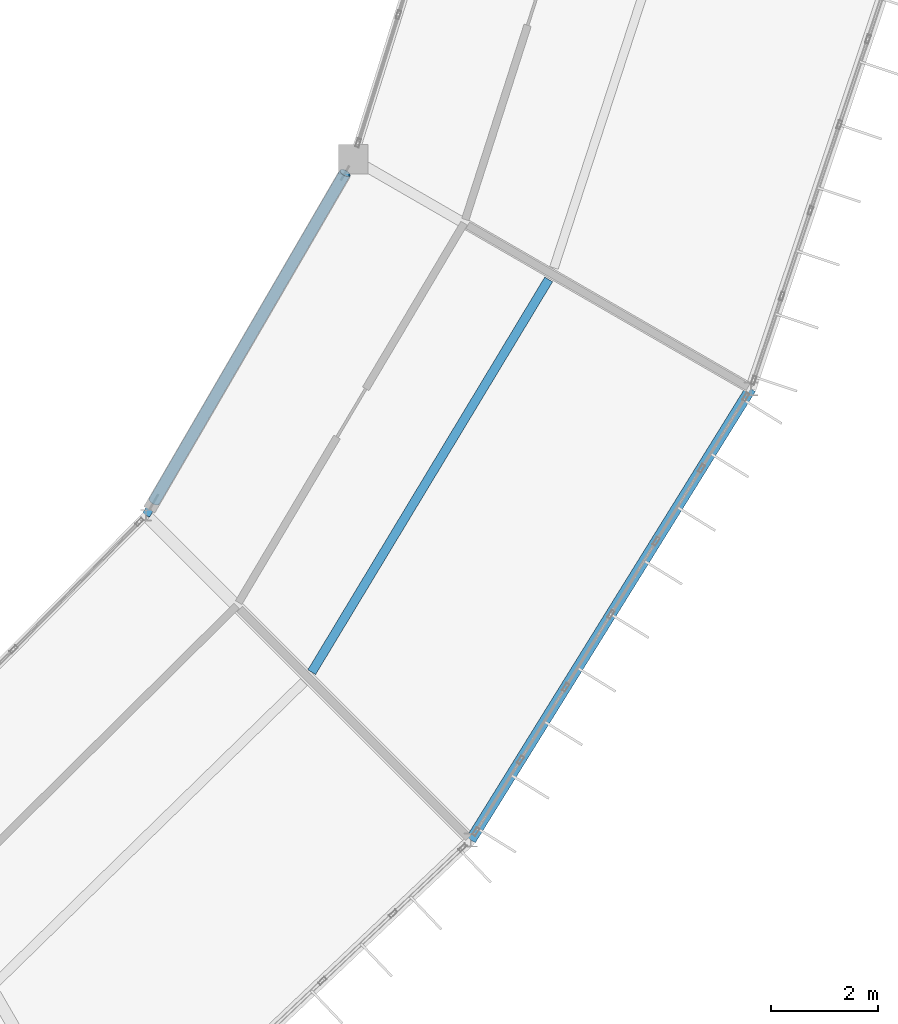
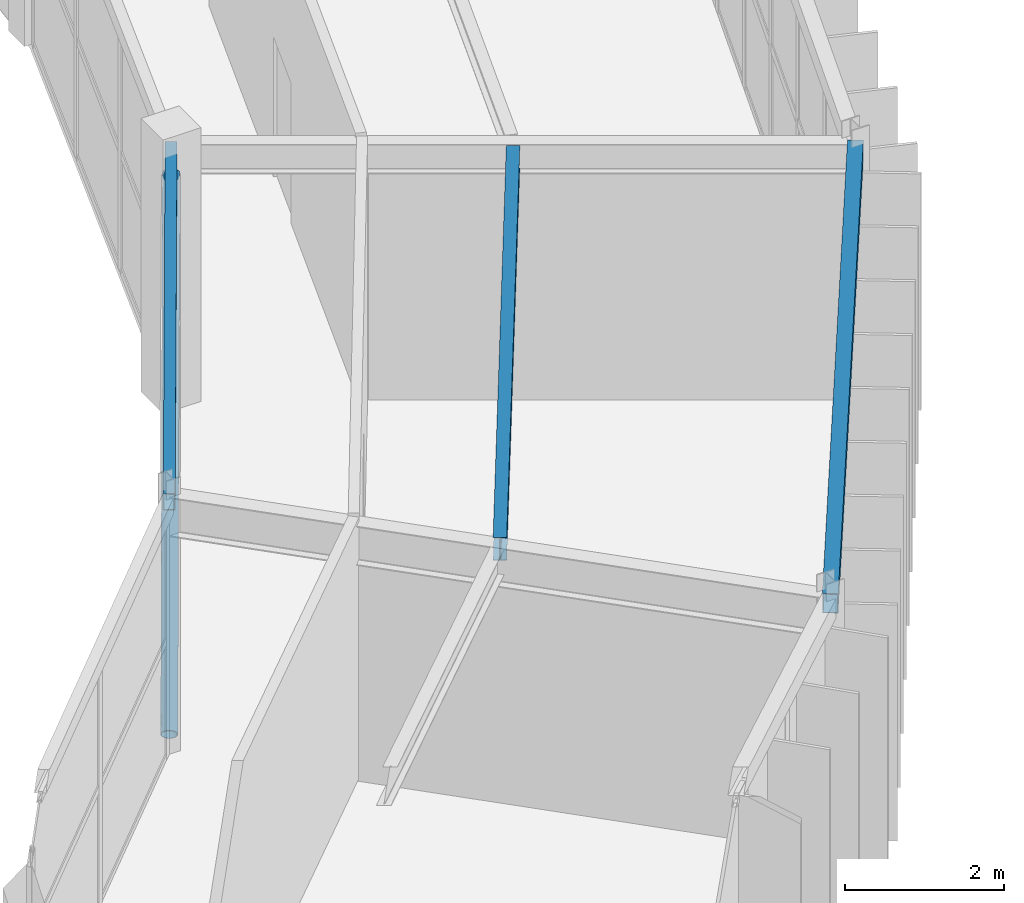
# One storey, part 48 of 130: 3 beams, 1 member.
"""IFC4 building model written with IfcOpenShell, lengths in metres."""

import ifcopenshell
import ifcopenshell.guid

model = None  # the IFC model being written
_history = None  # IfcOwnerHistory: only IFC2X3 demands one
_inside = {}  # id of a spatial element -> (the spatial element, [elements in it])
_under = {}  # id of a project, library or spatial element -> (it, [spatial elements below it])
_declared = {}  # id of a project -> (the project, [libraries it declares])
_typed = {}  # id of a type object -> (the type object, [elements of that type])
_made_of = {}  # id of a material, layer set ... -> (it, [elements and type objects made of it])


def new_model(schema):
    """Start an empty IFC model of exactly this schema.

    Asked for "IFC4X3", IfcOpenShell would pick the latest addendum, in which some entities
    have other attributes; the version numbers below select the first issue.
    IFC2X3 requires an IfcOwnerHistory on every rooted entity: one is made here for all.
    """
    global model, _history
    if schema == "IFC4X3":
        model = ifcopenshell.file(schema_version=(4, 3, 0, 0))
    else:
        model = ifcopenshell.file(schema=schema)
    _inside.clear()
    _under.clear()
    _declared.clear()
    _typed.clear()
    _made_of.clear()
    _history = None
    if model.schema == "IFC2X3":
        org = make("IfcOrganization", Name="unknown")
        user = make(
            "IfcPersonAndOrganization",
            ThePerson=make("IfcPerson", FamilyName="unknown"),
            TheOrganization=org,
        )
        app = make(
            "IfcApplication",
            ApplicationDeveloper=org,
            Version="unknown",
            ApplicationFullName="unknown",
            ApplicationIdentifier="unknown",
        )
        _history = make(
            "IfcOwnerHistory",
            OwningUser=user,
            OwningApplication=app,
            ChangeAction="ADDED",
            CreationDate=0,
        )
    return model


def make(cls, **values):
    """One entity of the class cls with the attributes given. An attribute that is None is left unset."""
    return model.create_entity(
        cls, **{name: value for name, value in values.items() if value is not None}
    )


def rooted(cls, **values):
    """An entity with a GlobalId (a new one), such as an element, a storey or a relation."""
    return make(cls, GlobalId=ifcopenshell.guid.new(), OwnerHistory=_history, **values)


def si_unit(unit_type, name, prefix=None):
    """IfcSIUnit, for example si_unit("LENGTHUNIT", "METRE", prefix="MILLI")."""
    return make("IfcSIUnit", UnitType=unit_type, Prefix=prefix, Name=name)


def assignment(units):
    """IfcUnitAssignment: the units of a project."""
    return None if units is None else make("IfcUnitAssignment", Units=units)


def point(xyz):
    """IfcCartesianPoint."""
    return None if xyz is None else make("IfcCartesianPoint", Coordinates=xyz)


def direction(xyz):
    """IfcDirection."""
    return None if xyz is None else make("IfcDirection", DirectionRatios=xyz)


def frame(location, z_axis=None, x_axis=None):
    """IfcAxis2Placement3D, a coordinate frame: its origin and axes. An axis left out is left unset."""
    return make(
        "IfcAxis2Placement3D",
        Location=point(location),
        Axis=direction(z_axis),
        RefDirection=direction(x_axis),
    )


def frame_2d(location, x_axis=None):
    """IfcAxis2Placement2D, a coordinate frame in the plane: its origin and x axis."""
    return make(
        "IfcAxis2Placement2D", Location=point(location), RefDirection=direction(x_axis)
    )


def origin():
    """The frame at (0, 0, 0) with its axes left unset."""
    return frame((0.0, 0.0, 0.0))


def origin_2d():
    """The frame at (0, 0) in the plane with its x axis left unset."""
    return frame_2d((0.0, 0.0))


def place(relative_to, where):
    """IfcLocalPlacement: puts the frame where relative to a parent placement (None: the world)."""
    return make(
        "IfcLocalPlacement", PlacementRelTo=relative_to, RelativePlacement=where
    )


def context(
    kind, dimensions, precision=None, world=None, true_north=None, identifier=None
):
    """IfcGeometricRepresentationContext, for example the 3D "Model" context."""
    return make(
        "IfcGeometricRepresentationContext",
        ContextIdentifier=identifier,
        ContextType=kind,
        CoordinateSpaceDimension=dimensions,
        Precision=precision,
        WorldCoordinateSystem=world,
        TrueNorth=true_north,
    )


def subcontext(parent, identifier, kind, view, scale=None):
    """IfcGeometricRepresentationSubContext, for example "Body" below "Model"."""
    return make(
        "IfcGeometricRepresentationSubContext",
        ContextIdentifier=identifier,
        ContextType=kind,
        ParentContext=parent,
        TargetScale=scale,
        TargetView=view,
    )


def project(units=None, contexts=None):
    """IfcProject with its units and contexts."""
    return rooted(
        "IfcProject",
        Name="project",
        RepresentationContexts=contexts,
        UnitsInContext=assignment(units),
    )


def spatial(cls, under=None, at=None, **own):
    """A site, building, storey or space (cls), placed at a placement, below another one or the project."""
    s = rooted(cls, ObjectPlacement=at, **own)
    if under is not None:
        _under.setdefault(under.id(), (under, []))[1].append(s)
    return s


def profile(cls, at=None, kind="AREA", **sizes):
    """A parametric profile (cls). Its sizes go by their IFC names, for example OverallWidth=200.0."""
    return make(cls, ProfileType=kind, Position=at, **sizes)


def hollow_rectangle(**sizes):
    """IfcRectangleHollowProfileDef."""
    return profile("IfcRectangleHollowProfileDef", **sizes)


def hollow_circle(**sizes):
    """IfcCircleHollowProfileDef."""
    return profile("IfcCircleHollowProfileDef", **sizes)


def i_section(**sizes):
    """IfcIShapeProfileDef."""
    return profile("IfcIShapeProfileDef", **sizes)


def extrude(swept, where, along, depth):
    """IfcExtrudedAreaSolid: the profile swept, set in the frame where, extruded along a direction by depth."""
    return make(
        "IfcExtrudedAreaSolid",
        SweptArea=swept,
        Position=where,
        ExtrudedDirection=direction(along),
        Depth=depth,
    )


def shape(context_of_items, identifier, shape_type, items):
    """IfcShapeRepresentation: the items that make up one representation, for example the "Body"."""
    return make(
        "IfcShapeRepresentation",
        ContextOfItems=context_of_items,
        RepresentationIdentifier=identifier,
        RepresentationType=shape_type,
        Items=items,
    )


def material(Name=None, Category=None):
    """IfcMaterial."""
    return make("IfcMaterial", Name=Name, Category=Category)


def material_profile(
    of_material, cross_section, Name=None, Category=None, Priority=None
):
    """IfcMaterialProfile: a cross section and its material."""
    return make(
        "IfcMaterialProfile",
        Name=Name,
        Material=of_material,
        Profile=cross_section,
        Priority=Priority,
        Category=Category,
    )


def profile_set(profiles, Name=None, composite=None):
    """IfcMaterialProfileSet."""
    return make(
        "IfcMaterialProfileSet",
        Name=Name,
        MaterialProfiles=profiles,
        CompositeProfile=composite,
    )


def made_of(thing, what):
    """Note that an element or type object is made of a material, layer set ...; save() writes the relation."""
    if what is not None:
        _made_of.setdefault(what.id(), (what, []))[1].append(thing)
    return thing


def type_object(cls, material=None, **own):
    """A type object (cls), such as IfcWallType, which elements share."""
    return made_of(rooted(cls, **own), material)


def element(
    cls,
    number,
    at=None,
    inside=None,
    cuts=None,
    type_object=None,
    material=None,
    context=None,
    identifier="Body",
    shape_type=None,
    held_by="IfcProductDefinitionShape",
    body=None,
    shapes=None,
    **own,
):
    """One element of the class cls, such as IfcWall. Its Tag is "e" and its number.

    at: its placement. inside: the storey or other place that contains it. cuts: it is an
    opening in that element (IfcRelVoidsElement). A single representation is given by context,
    identifier, shape_type and body (its items); several are given by shapes. held_by: the class
    of the entity that holds the representations. save() writes the other relations.
    """
    e = rooted(cls, Tag="e%d" % number, ObjectPlacement=at, **own)
    if body is not None:
        shapes = [shape(context, identifier, shape_type, body)]
    if shapes is not None:
        e.Representation = make(held_by, Representations=shapes)
    if inside is not None:
        _inside.setdefault(inside.id(), (inside, []))[1].append(e)
    if cuts is not None:
        rooted(
            "IfcRelVoidsElement", RelatingBuildingElement=cuts, RelatedOpeningElement=e
        )
    if type_object is not None:
        _typed.setdefault(type_object.id(), (type_object, []))[1].append(e)
    return made_of(e, material)


def aggregate(whole, parts):
    """IfcRelAggregates: a whole, such as a stair, and the parts it consists of."""
    return rooted("IfcRelAggregates", RelatingObject=whole, RelatedObjects=parts)


def save(model, path):
    """Write the relations noted so far, then the file.

    IfcRelAggregates (storeys below a building ...), IfcRelContainedInSpatialStructure (elements
    in a storey), IfcRelDefinesByType, IfcRelAssociatesMaterial and IfcRelDeclares: one each for
    every whole, place, type object, material and project.
    """
    for whole, parts in _under.values():
        aggregate(whole, parts)
    for where, things in _inside.values():
        rooted(
            "IfcRelContainedInSpatialStructure",
            RelatedElements=things,
            RelatingStructure=where,
        )
    for kind, things in _typed.values():
        rooted("IfcRelDefinesByType", RelatedObjects=things, RelatingType=kind)
    for what, things in _made_of.values():
        rooted("IfcRelAssociatesMaterial", RelatedObjects=things, RelatingMaterial=what)
    for by, libraries in _declared.values():
        rooted("IfcRelDeclares", RelatingContext=by, RelatedDefinitions=libraries)
    model.write(path)


model = new_model("IFC4")

# Units and contexts
model_context = context("Model", 3, precision=1e-05, world=origin(), true_north=direction((0.0, 1.0)))
body_context = subcontext(model_context, "Body", "Model", "MODEL_VIEW")
ifc_project = project(units=[si_unit("LENGTHUNIT", "METRE"), si_unit("AREAUNIT", "SQUARE_METRE"), si_unit("VOLUMEUNIT", "CUBIC_METRE"), si_unit("PLANEANGLEUNIT", "RADIAN"), si_unit("MASSUNIT", "GRAM", prefix="KILO")], contexts=[model_context])

# Site, building, storey
site_placement = place(None, origin())
site = spatial("IfcSite", under=ifc_project, at=site_placement, CompositionType="ELEMENT")
building_placement = place(site_placement, origin())
building = spatial("IfcBuilding", under=site, at=building_placement, Name="Karori Crest Natural Sciences Institute", CompositionType="ELEMENT")
storey_placement = place(building_placement, frame((0.0, 0.0, 17.5)))
storey = spatial("IfcBuildingStorey", under=building, at=storey_placement, Name="L04", CompositionType="ELEMENT", Elevation=17.5)

# Beams
ifc_material_1 = material(Name="Hollow structural steel AS/NZS 1163 Grade C350", Category="steel")
ifc_material_profile_1 = material_profile(ifc_material_1, hollow_rectangle(XDim=0.199951171875, YDim=0.300048828125, WallThickness=0.010009765625, at=origin_2d()), Name="RHS300x200x10")
ifc_profile_set_1 = profile_set([ifc_material_profile_1], Name="Hollow structural steel AS/NZS 1163 Grade C350")
beam_type_1 = type_object("IfcBeamType", Name="BT-15", PredefinedType="SPANDREL", material=ifc_profile_set_1)
beam_1_placement = place(storey_placement, frame((89.734619140625, 21.050048828125, 3.7900390625), z_axis=(0.527315195609, 0.849669750244, 0.0), x_axis=(-0.849669750244, 0.527315195609, 0.0)))
element("IfcBeam", 1, at=beam_1_placement, inside=storey, type_object=beam_type_1, Name="Beam B-0530", PredefinedType="SPANDREL", context=body_context, shape_type="SweptSolid", body=[
    extrude(hollow_rectangle(XDim=0.199951171875, YDim=0.300048828125, WallThickness=0.010009765625, at=origin_2d()), origin(), (0.0, 0.0, 1.0), 9.945068359375),
])
ifc_material_profile_2 = material_profile(ifc_material_1, hollow_rectangle(XDim=0.14990234375, YDim=0.25, WallThickness=0.009033203125, at=origin_2d()), Name="RHS250x150x9")
ifc_profile_set_2 = profile_set([ifc_material_profile_2], Name="Hollow structural steel AS/NZS 1163 Grade C350")
beam_type_2 = type_object("IfcBeamType", Name="BT-16", PredefinedType="SPANDREL", material=ifc_profile_set_2)
beam_2_placement = place(storey_placement, frame((83.6533203125, 27.131103515625, 3.7900390625), z_axis=(0.502658410953, 0.864485119536, 0.0), x_axis=(-0.864485119536, 0.502658410953, 0.0)))
element("IfcBeam", 2, at=beam_2_placement, inside=storey, type_object=beam_type_2, Name="Beam B-0531", PredefinedType="SPANDREL", context=body_context, shape_type="SweptSolid", body=[
    extrude(hollow_rectangle(XDim=0.14990234375, YDim=0.25, WallThickness=0.009033203125, at=origin_2d()), origin(), (0.0, 0.0, 1.0), 7.71435546875),
])
ifc_material_2 = material(Name="Structural steel AS/NZS 3679.1 Grade 350", Category="steel")
ifc_material_profile_3 = material_profile(ifc_material_2, i_section(OverallWidth=0.1708984375, OverallDepth=0.35595703125, WebThickness=0.00732421875, FlangeThickness=0.011474609375, FilletRadius=0.010986328125, at=origin_2d()), Name="360UB50.7")
ifc_profile_set_3 = profile_set([ifc_material_profile_3], Name="Structural steel AS/NZS 3679.1 Grade 350")
beam_type_3 = type_object("IfcBeamType", Name="BT-30", PredefinedType="BEAM", material=ifc_profile_set_3)
beam_3_placement = place(storey_placement, frame((86.755859375, 24.193359375, 3.761962890625), z_axis=(0.516601017309, 0.856226248672, 0.0), x_axis=(-0.856226248672, 0.516601017309, 0.0)))
element("IfcBeam", 3, at=beam_3_placement, inside=storey, type_object=beam_type_3, Name="Beam B-0533", PredefinedType="BEAM", context=body_context, shape_type="SweptSolid", body=[
    extrude(i_section(OverallWidth=0.1708984375, OverallDepth=0.35595703125, WebThickness=0.00732421875, FlangeThickness=0.011474609375, FilletRadius=0.010986328125, at=origin_2d()), origin(), (0.0, 0.0, 1.0), 8.5888671875),
])

# Member
ifc_material_profile_4 = material_profile(ifc_material_1, hollow_circle(Radius=0.109619140625, WallThickness=0.00830078125, at=origin_2d()), Name="CHS219.1x8.2")
ifc_profile_set_4 = profile_set([ifc_material_profile_4], Name="Hollow structural steel AS/NZS 1163 Grade C350")
member_type = type_object("IfcMemberType", Name="MT-02", PredefinedType="BRACE", material=ifc_profile_set_4)
member_placement = place(storey_placement, frame((83.80419921875, 27.390380859375, 0.010009765625), z_axis=(0.447468818063, 0.769620704899, 0.455472971155), x_axis=(-0.864499904405, 0.502632982686, 0.0)))
element("IfcMember", 4, at=member_placement, inside=storey, type_object=member_type, Name="Diagonal Brace M-0024", PredefinedType="BRACE", context=body_context, shape_type="SweptSolid", body=[
    extrude(hollow_circle(Radius=0.109619140625, WallThickness=0.00830078125, at=origin_2d()), origin(), (0.0, 0.0, 1.0), 7.991455078125),
])

save(model, "model.ifc")
